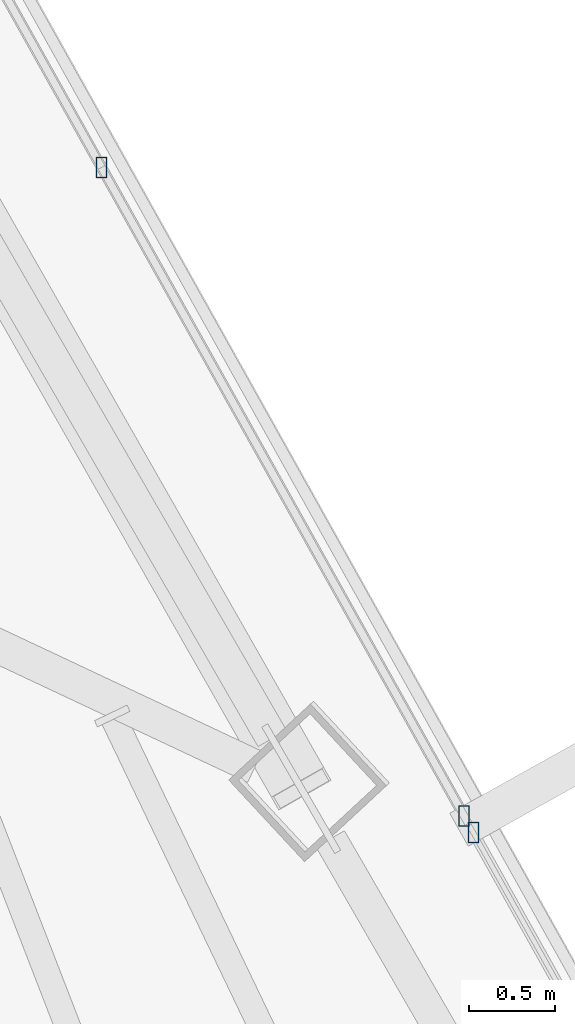
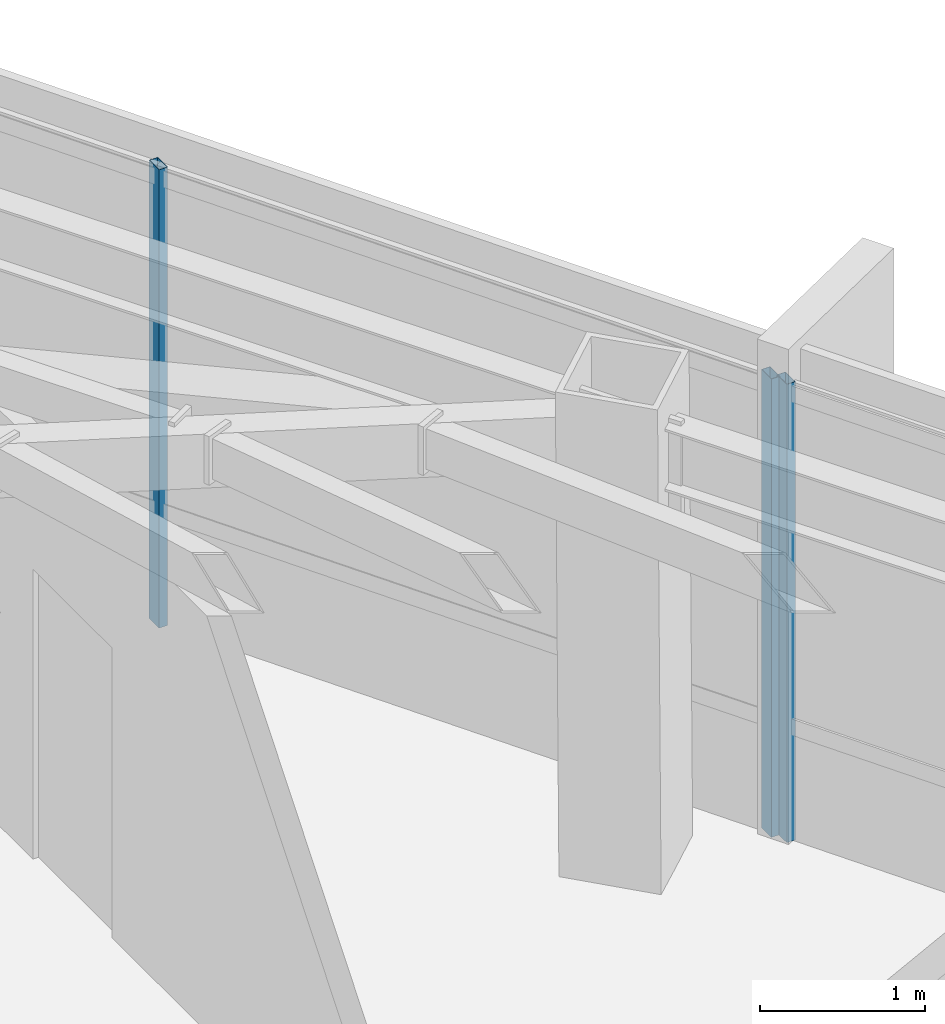
# One storey, part 28 of 47: 3 members, 2 elements without a shape of their own.
"""IFC4 building model written with IfcOpenShell, lengths in metres."""

from ifc_helpers import new_model, si_unit, direction, frame, origin, origin_2d, place, context, subcontext, project, spatial, hollow_rectangle, extrude, source, transform, mapped, material, material_profile, profile_set, type_object, type_shapes, element, aggregate, save


model = new_model("IFC4")

# Units and contexts
model_context = context("Model", 3, precision=1e-05, world=origin(), true_north=direction((0.0, 1.0)))
body_context = subcontext(model_context, "Body", "Model", "MODEL_VIEW")
ifc_project = project(units=[si_unit("LENGTHUNIT", "METRE"), si_unit("AREAUNIT", "SQUARE_METRE"), si_unit("VOLUMEUNIT", "CUBIC_METRE"), si_unit("PLANEANGLEUNIT", "RADIAN"), si_unit("MASSUNIT", "GRAM", prefix="KILO")], contexts=[model_context])

# Site, building, storey
site_placement = place(None, origin())
site = spatial("IfcSite", under=ifc_project, at=site_placement, CompositionType="ELEMENT")
building_placement = place(site_placement, origin())
building = spatial("IfcBuilding", under=site, at=building_placement, Name="Caelisora Broadcast Tower", CompositionType="ELEMENT")
storey_placement = place(building_placement, frame((0.0, 0.0, 255.39990234375)))
storey = spatial("IfcBuildingStorey", under=building, at=storey_placement, Name="L67", CompositionType="ELEMENT", Elevation=255.39990234375)

# Curtain wall, members
ifc_material_1 = material(Name="Unitised Aluminium Insulated Shadow-Box Spandrel Curtain Wall", Category="aluminium")
curtain_wall_type_1 = type_object("IfcCurtainWallType", Name="CW-SP3", PredefinedType="NOTDEFINED", material=ifc_material_1)
curtain_wall_1_placement = place(storey_placement, origin())
curtain_wall_1 = element("IfcCurtainWall", 1, at=curtain_wall_1_placement, inside=storey, type_object=curtain_wall_type_1, Name="L67 curtain wall CW-SP3", PredefinedType="NOTDEFINED")
ifc_material_2 = material(Name="Aluminium 6063-T6 Anodised Terracotta Bronze", Category="aluminium")
ifc_material_profile = material_profile(ifc_material_2, hollow_rectangle(XDim=0.06005859375, YDim=0.1201171875, WallThickness=0.0029296875, at=origin_2d()), Name="Aluminium 6063-T6 Anodised Terracotta Bronze")
ifc_profile_set = profile_set([ifc_material_profile], Name="Aluminium 6063-T6 Anodised Terracotta Bronze")
member_type = type_object("IfcMemberType", Name="CWM-04", PredefinedType="MULLION", material=ifc_profile_set)
shared_shape = source(origin(), body_context, "Body", "SweptSolid", [
    extrude(hollow_rectangle(XDim=0.06005859375, YDim=0.1201171875, WallThickness=0.0029296875, at=origin_2d()), origin(), (0.0, 0.0, 1.0), 3.400146484375),
])
type_shapes(member_type, [shared_shape])
member_1_placement = place(storey_placement, frame((52.452392578125, 29.803466796875, 0.0), z_axis=(0.0, 0.0, 1.0), x_axis=(1.0, 0.0, 0.0)))
member_1 = element("IfcMember", 2, at=member_1_placement, type_object=member_type, Name="L67-CW-B02 mullion #2", PredefinedType="MULLION", context=body_context, shape_type="MappedRepresentation", body=[
    mapped(shared_shape, transform((0.0, 0.0, 0.0), scale=1.0)),
])
member_2_placement = place(storey_placement, frame((54.56494140625, 26.024169921875, 0.0), z_axis=(0.0, 0.0, 1.0), x_axis=(1.0, 0.0, 0.0)))
member_2 = element("IfcMember", 3, at=member_2_placement, type_object=member_type, Name="L67-CW-B02 mullion #3", PredefinedType="MULLION", context=body_context, shape_type="MappedRepresentation", body=[
    mapped(shared_shape, transform((0.0, 0.0, 0.0), scale=1.0)),
])
aggregate(curtain_wall_1, [member_1, member_2])

# Curtain wall, member
ifc_material_3 = material(Name="Unitised Aluminium and Low-E Glass Curtain Wall", Category="glass")
curtain_wall_type_2 = type_object("IfcCurtainWallType", Name="CW-Z5", PredefinedType="NOTDEFINED", material=ifc_material_3)
curtain_wall_2_placement = place(storey_placement, origin())
curtain_wall_2 = element("IfcCurtainWall", 4, at=curtain_wall_2_placement, inside=storey, type_object=curtain_wall_type_2, Name="L67 curtain wall CW-Z5", PredefinedType="NOTDEFINED")
member_3_placement = place(storey_placement, frame((54.61865234375, 25.92822265625, 0.0), z_axis=(0.0, 0.0, 1.0), x_axis=(1.0, 0.0, 0.0)))
member_3 = element("IfcMember", 5, at=member_3_placement, type_object=member_type, Name="L67-CW-B03 mullion #0", PredefinedType="MULLION", context=body_context, shape_type="MappedRepresentation", body=[
    mapped(shared_shape, transform((0.0, 0.0, 0.0), scale=1.0)),
])
aggregate(curtain_wall_2, [member_3])

save(model, "model.ifc")
